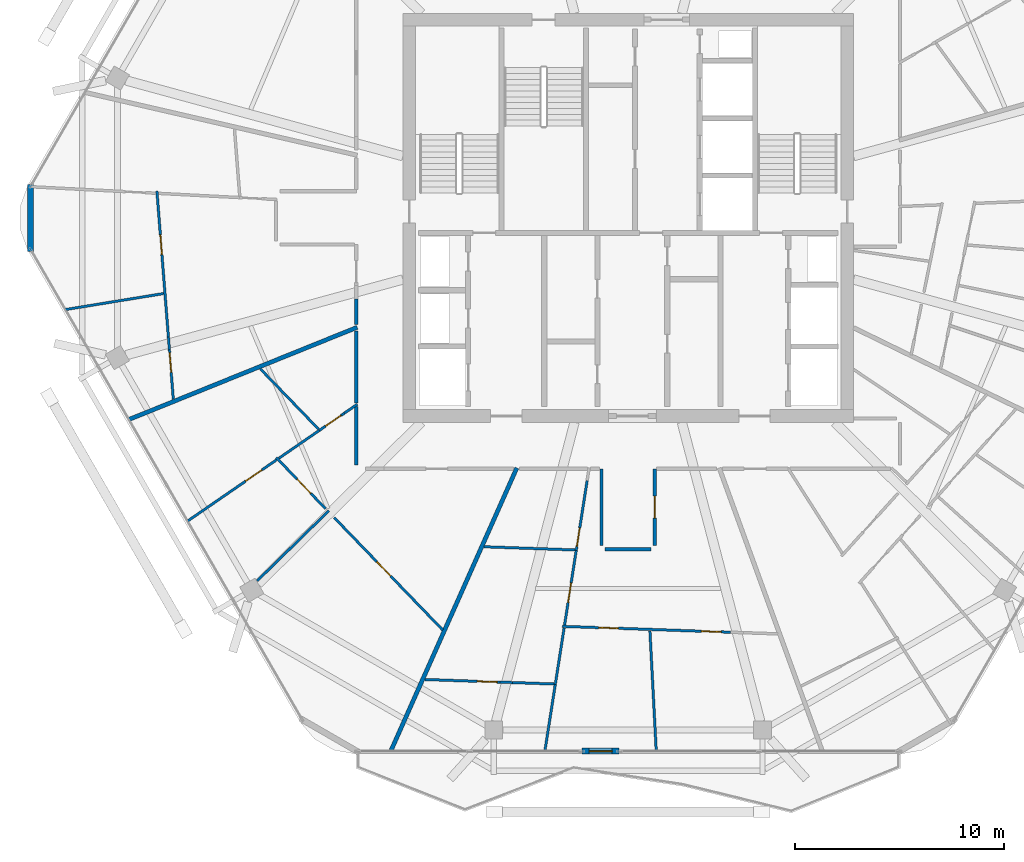
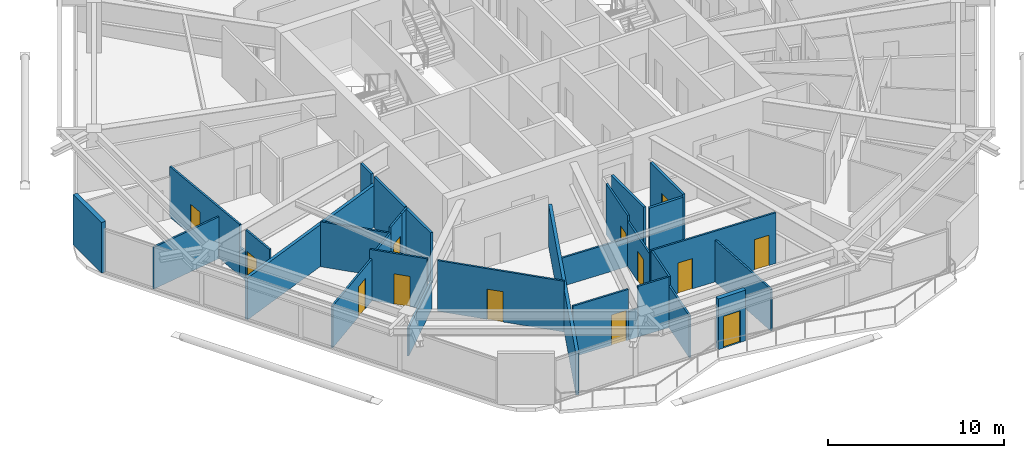
# One storey, part 19 of 26: 32 walls, 13 doors, 13 openings.
"""IFC4 building model written with IfcOpenShell, lengths in metres."""

from ifc_helpers import new_model, si_unit, direction, frame, frame_2d, origin, place, context, subcontext, project, spatial, rectangle, extrude, material, layer, layer_set, type_object, element, fill, save


model = new_model("IFC4")

# Units and contexts
model_context = context("Model", 3, precision=1e-05, world=origin(), true_north=direction((0.0, 1.0)))
body_context = subcontext(model_context, "Body", "Model", "MODEL_VIEW")
ifc_project = project(units=[si_unit("LENGTHUNIT", "METRE"), si_unit("AREAUNIT", "SQUARE_METRE"), si_unit("VOLUMEUNIT", "CUBIC_METRE"), si_unit("PLANEANGLEUNIT", "RADIAN"), si_unit("MASSUNIT", "GRAM", prefix="KILO")], contexts=[model_context])

# Site, building, storey
site_placement = place(None, origin())
site = spatial("IfcSite", under=ifc_project, at=site_placement, CompositionType="ELEMENT")
building_placement = place(site_placement, origin())
building = spatial("IfcBuilding", under=site, at=building_placement, Name="Zuhravey Tower", CompositionType="ELEMENT")
storey_placement = place(building_placement, frame((0.0, 0.0, 299.60009765625)))
storey = spatial("IfcBuildingStorey", under=building, at=storey_placement, Name="L76", CompositionType="ELEMENT", Elevation=299.60009765625)

# Wall, opening, door
ifc_material_1 = material(Name="Gypsum fire-rated stud partition")
ifc_layer_1 = layer(ifc_material_1, 0.159912109375)
ifc_layer_set_1 = layer_set([ifc_layer_1], Name="Gypsum fire-rated stud partition")
wall_type_1 = type_object("IfcWallType", Name="Corridor Fire Partition 160", PredefinedType="PARTITIONING", material=ifc_layer_set_1)
wall_1_placement = place(storey_placement, frame((37.280029296875, 16.300048828125, 0.0), z_axis=(0.0, 0.0, 1.0), x_axis=(0.0, 1.0, 0.0)))
wall_1 = element("IfcWall", 1, at=wall_1_placement, inside=storey, type_object=wall_type_1, Name="L76 IW16 Partition 032", PredefinedType="PARTITIONING", context=body_context, shape_type="SweptSolid", body=[
    extrude(rectangle(XDim=3.669921875, YDim=0.159912109375, at=frame_2d((1.8349609375, 0.0))), origin(), (0.0, 0.0, 1.0), 3.52001953125),
])
opening_1_placement = place(wall_1_placement, frame((1.31005859375, 0.0, 0.0)))
opening_1 = element("IfcOpeningElement", 2, at=opening_1_placement, cuts=wall_1, Name="Opening APD1", PredefinedType="OPENING", context=body_context, shape_type="SweptSolid", body=[
    extrude(rectangle(XDim=1.050048828125, YDim=2.14990234375, at=frame_2d((0.52490234375, 1.074951171875))), frame((0.0, 0.092041015625, 0.0), z_axis=(0.0, -1.0, 0.0), x_axis=(1.0, 0.0, 0.0)), (0.0, 0.0, 1.0), 0.183837890625),
])
ifc_material_2 = material(Name="Solid-core oak fire-rated leaf")
door_type_1 = type_object("IfcDoorType", Name="Apartment Entrance Fire Door 1050x2150", OperationType="NOTDEFINED", PredefinedType="DOOR", material=ifc_material_2)
door_1_placement = place(opening_1_placement, frame((1.050048828125, 0.0, 0.0), z_axis=(0.0, 0.0, 1.0), x_axis=(-1.0, 0.0, 0.0)))
door_1 = element("IfcDoor", 3, at=door_1_placement, inside=storey, type_object=door_type_1, Name="L76 Door 032.1", OperationType="SINGLE_SWING_RIGHT", OverallHeight=2.14990234375, OverallWidth=1.050048828125, PredefinedType="DOOR", context=body_context, shape_type="SweptSolid", body=[
    extrude(rectangle(XDim=1.050048828125, YDim=2.14990234375, at=frame_2d((0.52490234375, 1.074951171875))), frame((0.0, 0.02490234375, 0.0), z_axis=(0.0, -1.0, 0.0), x_axis=(1.0, 0.0, 0.0)), (0.0, 0.0, 1.0), 0.050048828125),
])
fill(opening_1, door_1)

# Walls
wall_2_placement = place(storey_placement, frame((22.969970703125, 28.112548828125, 0.0), z_axis=(0.0, 0.0, 1.0), x_axis=(0.0, -1.0, 0.0)))
element("IfcWall", 4, at=wall_2_placement, inside=storey, type_object=wall_type_1, Name="L76 IW16 Partition 126", PredefinedType="PARTITIONING", context=body_context, shape_type="SweptSolid", body=[
    extrude(rectangle(XDim=1.2236328125, YDim=0.159912109375, at=frame_2d((0.61181640625, 0.0))), origin(), (0.0, 0.0, 1.0), 3.52001953125),
])
wall_3_placement = place(storey_placement, frame((22.969970703125, 22.94873046875, 0.0), z_axis=(0.0, 0.0, 1.0), x_axis=(0.0, -1.0, 0.0)))
element("IfcWall", 5, at=wall_3_placement, inside=storey, type_object=wall_type_1, Name="L76 IW16 Partition 127", PredefinedType="PARTITIONING", context=body_context, shape_type="SweptSolid", body=[
    extrude(rectangle(XDim=2.798828125, YDim=0.159912109375, at=frame_2d((1.3994140625, 0.0))), origin(), (0.0, 0.0, 1.0), 3.52001953125),
])
wall_4_placement = place(storey_placement, frame((22.969970703125, 26.5810546875, 0.0), z_axis=(0.0, 0.0, 1.0), x_axis=(0.0, -1.0, 0.0)))
element("IfcWall", 6, at=wall_4_placement, inside=storey, type_object=wall_type_1, Name="L76 IW16 Partition 128", PredefinedType="PARTITIONING", context=body_context, shape_type="SweptSolid", body=[
    extrude(rectangle(XDim=3.467041015625, YDim=0.159912109375, at=frame_2d((1.7333984375, 0.0))), origin(), (0.0, 0.0, 1.0), 3.52001953125),
])
wall_5_placement = place(storey_placement, frame((34.719970703125, 19.969970703125, 0.0), z_axis=(0.0, 0.0, 1.0), x_axis=(0.0, -1.0, 0.0)))
element("IfcWall", 7, at=wall_5_placement, inside=storey, type_object=wall_type_1, Name="L76 IW16 Partition 129", PredefinedType="PARTITIONING", context=body_context, shape_type="SweptSolid", body=[
    extrude(rectangle(XDim=3.669921875, YDim=0.159912109375, at=frame_2d((1.8349609375, 0.0))), origin(), (0.0, 0.0, 1.0), 3.52001953125),
])
wall_6_placement = place(storey_placement, frame((34.89990234375, 16.1201171875, 0.0), z_axis=(0.0, 0.0, 1.0), x_axis=(1.0, 0.0, 0.0)))
element("IfcWall", 8, at=wall_6_placement, inside=storey, type_object=wall_type_1, Name="L76 IW16 Partition 131", PredefinedType="PARTITIONING", context=body_context, shape_type="SweptSolid", body=[
    extrude(rectangle(XDim=2.2001953125, YDim=0.159912109375, at=frame_2d((1.10009765625, 0.0))), origin(), (0.0, 0.0, 1.0), 3.52001953125),
])

# Wall, opening, door
ifc_material_3 = material(Name="Precast concrete C40/50", Category="concrete")
ifc_layer_2 = layer(ifc_material_3, 0.280029296875)
ifc_layer_set_2 = layer_set([ifc_layer_2], Name="Precast concrete C40/50")
wall_type_2 = type_object("IfcWallType", Name="Crown Architectural Wall 280", PredefinedType="SOLIDWALL", material=ifc_layer_set_2)
wall_7_placement = place(storey_placement, frame((35.570556640625, 6.436279296875, 0.0), z_axis=(0.0, 0.0, 1.0), x_axis=(-1.0, 0.0, 0.0)))
wall_7 = element("IfcWall", 9, at=wall_7_placement, inside=storey, type_object=wall_type_2, Name="L76 Face 5 Facade Pier EW28-1", PredefinedType="SOLIDWALL", context=body_context, shape_type="SweptSolid", body=[
    extrude(rectangle(XDim=1.7900390625, YDim=0.280029296875, at=frame_2d((0.89501953125, 0.0))), origin(), (0.0, 0.0, 1.0), 3.52001953125),
])
opening_2_placement = place(wall_7_placement, frame((0.344970703125, 0.0, 0.0)))
opening_2 = element("IfcOpeningElement", 10, at=opening_2_placement, cuts=wall_7, Name="Opening BLD1", PredefinedType="OPENING", context=body_context, shape_type="SweptSolid", body=[
    extrude(rectangle(XDim=1.10009765625, YDim=2.199951171875, at=frame_2d((0.550048828125, 1.10009765625))), frame((0.0, 0.152099609375, 0.0), z_axis=(0.0, -1.0, 0.0), x_axis=(1.0, 0.0, 0.0)), (0.0, 0.0, 1.0), 0.303955078125),
])
ifc_material_4 = material(Name="Thermally broken aluminium and low-E glass", Category="aluminium")
door_type_2 = type_object("IfcDoorType", Name="Balcony & Sky-Tray Glazed Door 1100x2200", OperationType="NOTDEFINED", PredefinedType="DOOR", material=ifc_material_4)
door_2_placement = place(opening_2_placement, frame((1.10009765625, 0.0, 0.0), z_axis=(0.0, 0.0, 1.0), x_axis=(-1.0, 0.0, 0.0)))
door_2 = element("IfcDoor", 11, at=door_2_placement, inside=storey, type_object=door_type_2, Name="L76 Face 5 Wave Balcony Door", OperationType="SINGLE_SWING_LEFT", OverallHeight=2.199951171875, OverallWidth=1.10009765625, PredefinedType="DOOR", context=body_context, shape_type="SweptSolid", body=[
    extrude(rectangle(XDim=1.10009765625, YDim=2.199951171875, at=frame_2d((0.550048828125, 1.10009765625))), frame((0.0, 0.02490234375, 0.0), z_axis=(0.0, -1.0, 0.0), x_axis=(1.0, 0.0, 0.0)), (0.0, 0.0, 1.0), 0.050048828125),
])
fill(opening_2, door_2)

# Walls
wall_8_placement = place(storey_placement, frame((7.35498046875, 30.392578125, 0.0), z_axis=(0.0, 0.0, 1.0), x_axis=(0.0, 1.0, 0.0)))
element("IfcWall", 12, at=wall_8_placement, inside=storey, type_object=wall_type_2, Name="L76 Rounded Corner Closure Wall EW28-06", PredefinedType="SOLIDWALL", context=body_context, shape_type="SweptSolid", body=[
    extrude(rectangle(XDim=3.21484375, YDim=0.280029296875, at=frame_2d((1.607421875, 0.0))), origin(), (0.0, 0.0, 1.0), 3.52001953125),
])
ifc_material_5 = material(Name="Gypsum double-stud party assembly")
ifc_layer_3 = layer(ifc_material_5, 0.199951171875)
ifc_layer_set_3 = layer_set([ifc_layer_3], Name="Gypsum double-stud party assembly")
wall_type_3 = type_object("IfcWallType", Name="Inter-Tenancy Party Wall 200", PredefinedType="PARTITIONING", material=ifc_layer_set_3)
wall_9_placement = place(storey_placement, frame((23.010009765625, 26.751708984375, 0.0), z_axis=(0.0, 0.0, 1.0), x_axis=(-0.927183134291, -0.374608376155, 0.0)))
element("IfcWall", 13, at=wall_9_placement, inside=storey, type_object=wall_type_3, Name="L76 IW20 Partition 071", PredefinedType="PARTITIONING", context=body_context, shape_type="SweptSolid", body=[
    extrude(rectangle(XDim=11.8046875, YDim=0.199951171875, at=frame_2d((5.90234375, 0.0))), origin(), (0.0, 0.0, 1.0), 2.89990234375),
])
wall_10_placement = place(storey_placement, frame((30.66162109375, 20.010009765625, 0.0), z_axis=(0.0, 0.0, 1.0), x_axis=(-0.406725337387, -0.913550491176, 0.0)))
element("IfcWall", 14, at=wall_10_placement, inside=storey, type_object=wall_type_3, Name="L76 IW20 Partition 076", PredefinedType="PARTITIONING", context=body_context, shape_type="SweptSolid", body=[
    extrude(rectangle(XDim=14.858154296875, YDim=0.199951171875, at=frame_2d((7.42919921875, 0.0))), origin(), (0.0, 0.0, 1.0), 2.89990234375),
])

# Wall, opening, door
ifc_material_6 = material(Name="Gypsum metal-stud partition")
ifc_layer_4 = layer(ifc_material_6, 0.1201171875)
ifc_layer_set_4 = layer_set([ifc_layer_4], Name="Gypsum metal-stud partition")
wall_type_4 = type_object("IfcWallType", Name="Unit Internal Partition 120", PredefinedType="PARTITIONING", material=ifc_layer_set_4)
wall_11_placement = place(storey_placement, frame((19.12744140625, 20.5078125, 0.0), z_axis=(0.0, 0.0, 1.0), x_axis=(0.694693114262, -0.719306247016, 0.0)))
wall_11 = element("IfcWall", 15, at=wall_11_placement, inside=storey, type_object=wall_type_4, Name="L76 IW12 Partition 021", PredefinedType="PARTITIONING", context=body_context, shape_type="SweptSolid", body=[
    extrude(rectangle(XDim=3.40234375, YDim=0.1201171875, at=frame_2d((1.701171875, 0.0))), origin(), (0.0, 0.0, 1.0), 3.52001953125),
])
opening_3_placement = place(wall_11_placement, frame((1.4384765625, 0.0, 0.0)))
opening_3 = element("IfcOpeningElement", 16, at=opening_3_placement, cuts=wall_11, Name="Opening IND1", PredefinedType="OPENING", context=body_context, shape_type="SweptSolid", body=[
    extrude(rectangle(XDim=0.949951171875, YDim=2.10009765625, at=frame_2d((0.47509765625, 1.050048828125))), frame((0.0, 0.072021484375, 0.0), z_axis=(0.0, -1.0, 0.0), x_axis=(1.0, 0.0, 0.0)), (0.0, 0.0, 1.0), 0.14404296875),
])
ifc_material_7 = material(Name="Painted engineered timber leaf", Category="wood")
door_type_3 = type_object("IfcDoorType", Name="Internal Room & Bedroom Door 950x2100", OperationType="NOTDEFINED", PredefinedType="DOOR", material=ifc_material_7)
door_3_placement = place(opening_3_placement, frame((0.949951171875, 0.0, 0.0), z_axis=(0.0, 0.0, 1.0), x_axis=(-1.0, 0.0, 0.0)))
door_3 = element("IfcDoor", 17, at=door_3_placement, inside=storey, type_object=door_type_3, Name="Apartment L76-01 Family Study Door", OperationType="SINGLE_SWING_RIGHT", OverallHeight=2.10009765625, OverallWidth=0.949951171875, PredefinedType="DOOR", context=body_context, shape_type="SweptSolid", body=[
    extrude(rectangle(XDim=0.949951171875, YDim=2.10009765625, at=frame_2d((0.47509765625, 1.050048828125))), frame((0.0, 0.02490234375, 0.0), z_axis=(0.0, -1.0, 0.0), x_axis=(1.0, 0.0, 0.0)), (0.0, 0.0, 1.0), 0.050048828125),
])
fill(opening_3, door_3)

wall_12_placement = place(storey_placement, frame((21.903564453125, 17.63330078125, 0.0), z_axis=(0.0, 0.0, 1.0), x_axis=(0.694646278993, -0.719351476735, 0.0)))
wall_12 = element("IfcWall", 18, at=wall_12_placement, inside=storey, type_object=wall_type_4, Name="L76 IW12 Partition 022", PredefinedType="PARTITIONING", context=body_context, shape_type="SweptSolid", body=[
    extrude(rectangle(XDim=7.49072265625, YDim=0.1201171875, at=frame_2d((3.745361328125, 0.0))), origin(), (0.0, 0.0, 1.0), 3.52001953125),
])
opening_4_placement = place(wall_12_placement, frame((2.94580078125, 0.0, 0.0)))
opening_4 = element("IfcOpeningElement", 19, at=opening_4_placement, cuts=wall_12, Name="Opening IND1", PredefinedType="OPENING", context=body_context, shape_type="SweptSolid", body=[
    extrude(rectangle(XDim=0.949951171875, YDim=2.10009765625, at=frame_2d((0.47509765625, 1.050048828125))), frame((0.0, 0.072021484375, 0.0), z_axis=(0.0, -1.0, 0.0), x_axis=(1.0, 0.0, 0.0)), (0.0, 0.0, 1.0), 0.14404296875),
])
door_4_placement = place(opening_4_placement, frame((0.949951171875, 0.0, 0.0), z_axis=(0.0, 0.0, 1.0), x_axis=(-1.0, 0.0, 0.0)))
door_4 = element("IfcDoor", 20, at=door_4_placement, inside=storey, type_object=door_type_3, Name="Apartment L76-01 Dining Room Door", OperationType="SINGLE_SWING_LEFT", OverallHeight=2.10009765625, OverallWidth=0.949951171875, PredefinedType="DOOR", context=body_context, shape_type="SweptSolid", body=[
    extrude(rectangle(XDim=0.949951171875, YDim=2.10009765625, at=frame_2d((0.47509765625, 1.050048828125))), frame((0.0, 0.02490234375, 0.0), z_axis=(0.0, -1.0, 0.0), x_axis=(1.0, 0.0, 0.0)), (0.0, 0.0, 1.0), 0.050048828125),
])
fill(opening_4, door_4)

wall_13_placement = place(storey_placement, frame((22.39990234375, 22.638916015625, 0.0), z_axis=(0.0, 0.0, 1.0), x_axis=(-0.82372765271, -0.566985673683, 0.0)))
wall_13 = element("IfcWall", 21, at=wall_13_placement, inside=storey, type_object=wall_type_4, Name="L76 IW12 Partition 023", PredefinedType="PARTITIONING", context=body_context, shape_type="SweptSolid", body=[
    extrude(rectangle(XDim=1.473876953125, YDim=0.1201171875, at=frame_2d((0.73681640625, 0.0))), origin(), (0.0, 0.0, 1.0), 3.52001953125),
])
opening_5_placement = place(wall_13_placement, frame((0.199951171875, 0.0, 0.0)))
opening_5 = element("IfcOpeningElement", 22, at=opening_5_placement, cuts=wall_13, Name="Opening WCD1", PredefinedType="OPENING", context=body_context, shape_type="SweptSolid", body=[
    extrude(rectangle(XDim=0.89990234375, YDim=2.10009765625, at=frame_2d((0.449951171875, 1.050048828125))), frame((0.0, 0.072021484375, 0.0), z_axis=(0.0, -1.0, 0.0), x_axis=(1.0, 0.0, 0.0)), (0.0, 0.0, 1.0), 0.14404296875),
])
ifc_material_8 = material(Name="Moisture-resistant timber leaf", Category="wood")
door_type_4 = type_object("IfcDoorType", Name="Bathroom & WC Internal Door 900x2100", OperationType="NOTDEFINED", PredefinedType="DOOR", material=ifc_material_8)
door_5_placement = place(opening_5_placement, frame((0.89990234375, 0.0, 0.0), z_axis=(0.0, 0.0, 1.0), x_axis=(-1.0, 0.0, 0.0)))
door_5 = element("IfcDoor", 23, at=door_5_placement, inside=storey, type_object=door_type_4, Name="Apartment L76-01 Bathroom Door", OperationType="SINGLE_SWING_RIGHT", OverallHeight=2.10009765625, OverallWidth=0.89990234375, PredefinedType="DOOR", context=body_context, shape_type="SweptSolid", body=[
    extrude(rectangle(XDim=0.89990234375, YDim=2.10009765625, at=frame_2d((0.449951171875, 1.050048828125))), frame((0.0, 0.02490234375, 0.0), z_axis=(0.0, -1.0, 0.0), x_axis=(1.0, 0.0, 0.0)), (0.0, 0.0, 1.0), 0.050048828125),
])
fill(opening_5, door_5)

# Wall
wall_14_placement = place(storey_placement, frame((21.185791015625, 21.80322265625, 0.0), z_axis=(0.0, 0.0, 1.0), x_axis=(-0.823756191061, -0.566944210384, 0.0)))
element("IfcWall", 24, at=wall_14_placement, inside=storey, type_object=wall_type_4, Name="L76 IW12 Partition 024", PredefinedType="PARTITIONING", context=body_context, shape_type="SweptSolid", body=[
    extrude(rectangle(XDim=2.34423828125, YDim=0.1201171875, at=frame_2d((1.172119140625, 0.0))), origin(), (0.0, 0.0, 1.0), 3.119873046875),
])

# Wall, opening, door
wall_15_placement = place(storey_placement, frame((19.14111328125, 20.39599609375, 0.0), z_axis=(0.0, 0.0, 1.0), x_axis=(-0.823725661839, -0.566988566047, 0.0)))
wall_15 = element("IfcWall", 25, at=wall_15_placement, inside=storey, type_object=wall_type_4, Name="L76 IW12 Partition 025", PredefinedType="PARTITIONING", context=body_context, shape_type="SweptSolid", body=[
    extrude(rectangle(XDim=5.1826171875, YDim=0.1201171875, at=frame_2d((2.59130859375, 0.0))), origin(), (0.0, 0.0, 1.0), 2.89990234375),
])
opening_6_placement = place(wall_15_placement, frame((0.85009765625, 0.0, 0.0)))
opening_6 = element("IfcOpeningElement", 26, at=opening_6_placement, cuts=wall_15, Name="Opening IND1", PredefinedType="OPENING", context=body_context, shape_type="SweptSolid", body=[
    extrude(rectangle(XDim=0.949951171875, YDim=2.10009765625, at=frame_2d((0.47509765625, 1.050048828125))), frame((0.0, 0.072021484375, 0.0), z_axis=(0.0, -1.0, 0.0), x_axis=(1.0, 0.0, 0.0)), (0.0, 0.0, 1.0), 0.14404296875),
])
door_6_placement = place(opening_6_placement, frame((0.949951171875, 0.0, 0.0), z_axis=(0.0, 0.0, 1.0), x_axis=(-1.0, 0.0, 0.0)))
door_6 = element("IfcDoor", 27, at=door_6_placement, inside=storey, type_object=door_type_3, Name="Apartment L76-01 Bedroom 1 Door", OperationType="SINGLE_SWING_LEFT", OverallHeight=2.10009765625, OverallWidth=0.949951171875, PredefinedType="DOOR", context=body_context, shape_type="SweptSolid", body=[
    extrude(rectangle(XDim=0.949951171875, YDim=2.10009765625, at=frame_2d((0.47509765625, 1.050048828125))), frame((0.0, 0.02490234375, 0.0), z_axis=(0.0, -1.0, 0.0), x_axis=(1.0, 0.0, 0.0)), (0.0, 0.0, 1.0), 0.050048828125),
])
fill(opening_6, door_6)

# Wall, openings, doors
wall_16_placement = place(storey_placement, frame((32.839111328125, 12.416748046875, 0.0), z_axis=(0.0, 0.0, 1.0), x_axis=(0.999390339178, -0.034913463852, 0.0)))
wall_16 = element("IfcWall", 28, at=wall_16_placement, inside=storey, type_object=wall_type_4, Name="L76 IW12 Partition 027", PredefinedType="PARTITIONING", context=body_context, shape_type="SweptSolid", body=[
    extrude(rectangle(XDim=8.069580078125, YDim=0.1201171875, at=frame_2d((4.03466796875, 0.0))), origin(), (0.0, 0.0, 1.0), 3.52001953125),
])
opening_7_placement = place(wall_16_placement, frame((1.745849609375, 0.0, 0.0)))
opening_7 = element("IfcOpeningElement", 29, at=opening_7_placement, cuts=wall_16, Name="Opening IND1", PredefinedType="OPENING", context=body_context, shape_type="SweptSolid", body=[
    extrude(rectangle(XDim=0.949951171875, YDim=2.10009765625, at=frame_2d((0.47509765625, 1.050048828125))), frame((0.0, 0.072021484375, 0.0), z_axis=(0.0, -1.0, 0.0), x_axis=(1.0, 0.0, 0.0)), (0.0, 0.0, 1.0), 0.14404296875),
])
opening_8_placement = place(wall_16_placement, frame((6.67333984375, 0.0, 0.0)))
opening_8 = element("IfcOpeningElement", 30, at=opening_8_placement, cuts=wall_16, Name="Opening IND1", PredefinedType="OPENING", context=body_context, shape_type="SweptSolid", body=[
    extrude(rectangle(XDim=0.949951171875, YDim=2.10009765625, at=frame_2d((0.47509765625, 1.050048828125))), frame((0.0, 0.072021484375, 0.0), z_axis=(0.0, -1.0, 0.0), x_axis=(1.0, 0.0, 0.0)), (0.0, 0.0, 1.0), 0.14404296875),
])
door_7_placement = place(opening_7_placement, frame((0.949951171875, 0.0, 0.0), z_axis=(0.0, 0.0, 1.0), x_axis=(-1.0, 0.0, 0.0)))
door_7 = element("IfcDoor", 31, at=door_7_placement, inside=storey, type_object=door_type_3, Name="Apartment L76-02 Family Study Door", OperationType="SINGLE_SWING_LEFT", OverallHeight=2.10009765625, OverallWidth=0.949951171875, PredefinedType="DOOR", context=body_context, shape_type="SweptSolid", body=[
    extrude(rectangle(XDim=0.949951171875, YDim=2.10009765625, at=frame_2d((0.47509765625, 1.050048828125))), frame((0.0, 0.02490234375, 0.0), z_axis=(0.0, -1.0, 0.0), x_axis=(1.0, 0.0, 0.0)), (0.0, 0.0, 1.0), 0.050048828125),
])
fill(opening_7, door_7)
door_8_placement = place(opening_8_placement, frame((0.949951171875, 0.0, 0.0), z_axis=(0.0, 0.0, 1.0), x_axis=(-1.0, 0.0, 0.0)))
door_8 = element("IfcDoor", 32, at=door_8_placement, inside=storey, type_object=door_type_3, Name="Apartment L76-02 Dining Room Door", OperationType="SINGLE_SWING_RIGHT", OverallHeight=2.10009765625, OverallWidth=0.949951171875, PredefinedType="DOOR", context=body_context, shape_type="SweptSolid", body=[
    extrude(rectangle(XDim=0.949951171875, YDim=2.10009765625, at=frame_2d((0.47509765625, 1.050048828125))), frame((0.0, 0.02490234375, 0.0), z_axis=(0.0, -1.0, 0.0), x_axis=(1.0, 0.0, 0.0)), (0.0, 0.0, 1.0), 0.050048828125),
])
fill(opening_8, door_8)

# Wall, opening, door
wall_17_placement = place(storey_placement, frame((34.031494140625, 19.39990234375, 0.0), z_axis=(0.0, 0.0, 1.0), x_axis=(-0.154412048647, -0.988006538052, 0.0)))
wall_17 = element("IfcWall", 33, at=wall_17_placement, inside=storey, type_object=wall_type_4, Name="L76 IW12 Partition 028", PredefinedType="PARTITIONING", context=body_context, shape_type="SweptSolid", body=[
    extrude(rectangle(XDim=3.38818359375, YDim=0.1201171875, at=frame_2d((1.694091796875, 0.0))), origin(), (0.0, 0.0, 1.0), 3.52001953125),
])
opening_9_placement = place(wall_17_placement, frame((2.293212890625, 0.0, 0.0)))
opening_9 = element("IfcOpeningElement", 34, at=opening_9_placement, cuts=wall_17, Name="Opening WCD1", PredefinedType="OPENING", context=body_context, shape_type="SweptSolid", body=[
    extrude(rectangle(XDim=0.89990234375, YDim=2.10009765625, at=frame_2d((0.449951171875, 1.050048828125))), frame((0.0, 0.072021484375, 0.0), z_axis=(0.0, -1.0, 0.0), x_axis=(1.0, 0.0, 0.0)), (0.0, 0.0, 1.0), 0.14404296875),
])
door_9_placement = place(opening_9_placement, frame((0.89990234375, 0.0, 0.0), z_axis=(0.0, 0.0, 1.0), x_axis=(-1.0, 0.0, 0.0)))
door_9 = element("IfcDoor", 35, at=door_9_placement, inside=storey, type_object=door_type_4, Name="Apartment L76-02 Bathroom Door", OperationType="SINGLE_SWING_LEFT", OverallHeight=2.10009765625, OverallWidth=0.89990234375, PredefinedType="DOOR", context=body_context, shape_type="SweptSolid", body=[
    extrude(rectangle(XDim=0.89990234375, YDim=2.10009765625, at=frame_2d((0.449951171875, 1.050048828125))), frame((0.0, 0.02490234375, 0.0), z_axis=(0.0, -1.0, 0.0), x_axis=(1.0, 0.0, 0.0)), (0.0, 0.0, 1.0), 0.050048828125),
])
fill(opening_9, door_9)

wall_18_placement = place(storey_placement, frame((33.50830078125, 16.05224609375, 0.0), z_axis=(0.0, 0.0, 1.0), x_axis=(-0.154335671849, -0.988018471687, 0.0)))
wall_18 = element("IfcWall", 36, at=wall_18_placement, inside=storey, type_object=wall_type_4, Name="L76 IW12 Partition 029", PredefinedType="PARTITIONING", context=body_context, shape_type="SweptSolid", body=[
    extrude(rectangle(XDim=3.614501953125, YDim=0.1201171875, at=frame_2d((1.80712890625, 0.0))), origin(), (0.0, 0.0, 1.0), 3.119873046875),
])
opening_10_placement = place(wall_18_placement, frame((1.572265625, 0.0, 0.0)))
opening_10 = element("IfcOpeningElement", 37, at=opening_10_placement, cuts=wall_18, Name="Opening IND1", PredefinedType="OPENING", context=body_context, shape_type="SweptSolid", body=[
    extrude(rectangle(XDim=0.949951171875, YDim=2.10009765625, at=frame_2d((0.47509765625, 1.050048828125))), frame((0.0, 0.072021484375, 0.0), z_axis=(0.0, -1.0, 0.0), x_axis=(1.0, 0.0, 0.0)), (0.0, 0.0, 1.0), 0.14404296875),
])
door_10_placement = place(opening_10_placement, frame((0.949951171875, 0.0, 0.0), z_axis=(0.0, 0.0, 1.0), x_axis=(-1.0, 0.0, 0.0)))
door_10 = element("IfcDoor", 38, at=door_10_placement, inside=storey, type_object=door_type_3, Name="Apartment L76-02 Home Office Door", OperationType="SINGLE_SWING_RIGHT", OverallHeight=2.10009765625, OverallWidth=0.949951171875, PredefinedType="DOOR", context=body_context, shape_type="SweptSolid", body=[
    extrude(rectangle(XDim=0.949951171875, YDim=2.10009765625, at=frame_2d((0.47509765625, 1.050048828125))), frame((0.0, 0.02490234375, 0.0), z_axis=(0.0, -1.0, 0.0), x_axis=(1.0, 0.0, 0.0)), (0.0, 0.0, 1.0), 0.050048828125),
])
fill(opening_10, door_10)

# Wall
wall_19_placement = place(storey_placement, frame((32.92919921875, 12.345458984375, 0.0), z_axis=(0.0, 0.0, 1.0), x_axis=(-0.154349819993, -0.98801626154, 0.0)))
element("IfcWall", 39, at=wall_19_placement, inside=storey, type_object=wall_type_4, Name="L76 IW12 Partition 030", PredefinedType="PARTITIONING", context=body_context, shape_type="SweptSolid", body=[
    extrude(rectangle(XDim=2.752197265625, YDim=0.1201171875, at=frame_2d((1.3759765625, 0.0))), origin(), (0.0, 0.0, 1.0), 3.52001953125),
])

# Wall, opening, door
wall_20_placement = place(storey_placement, frame((26.268310546875, 9.869140625, 0.0), z_axis=(0.0, 0.0, 1.0), x_axis=(0.999390794045, -0.034900440936, 0.0)))
wall_20 = element("IfcWall", 40, at=wall_20_placement, inside=storey, type_object=wall_type_4, Name="L76 IW12 Partition 031", PredefinedType="PARTITIONING", context=body_context, shape_type="SweptSolid", body=[
    extrude(rectangle(XDim=3.588623046875, YDim=0.1201171875, at=frame_2d((1.79443359375, 0.0))), origin(), (0.0, 0.0, 1.0), 3.52001953125),
])
opening_11_placement = place(wall_20_placement, frame((2.498779296875, 0.0, 0.0)))
opening_11 = element("IfcOpeningElement", 41, at=opening_11_placement, cuts=wall_20, Name="Opening IND1", PredefinedType="OPENING", context=body_context, shape_type="SweptSolid", body=[
    extrude(rectangle(XDim=0.949951171875, YDim=2.10009765625, at=frame_2d((0.47509765625, 1.050048828125))), frame((0.0, 0.072021484375, 0.0), z_axis=(0.0, -1.0, 0.0), x_axis=(1.0, 0.0, 0.0)), (0.0, 0.0, 1.0), 0.14404296875),
])
door_11_placement = place(opening_11_placement, frame((0.949951171875, 0.0, 0.0), z_axis=(0.0, 0.0, 1.0), x_axis=(-1.0, 0.0, 0.0)))
door_11 = element("IfcDoor", 42, at=door_11_placement, inside=storey, type_object=door_type_3, Name="Apartment L76-02 Bedroom 1 Door", OperationType="SINGLE_SWING_LEFT", OverallHeight=2.10009765625, OverallWidth=0.949951171875, PredefinedType="DOOR", context=body_context, shape_type="SweptSolid", body=[
    extrude(rectangle(XDim=0.949951171875, YDim=2.10009765625, at=frame_2d((0.47509765625, 1.050048828125))), frame((0.0, 0.02490234375, 0.0), z_axis=(0.0, -1.0, 0.0), x_axis=(1.0, 0.0, 0.0)), (0.0, 0.0, 1.0), 0.050048828125),
])
fill(opening_11, door_11)

wall_21_placement = place(storey_placement, frame((13.409912109375, 33.276123046875, 0.0), z_axis=(0.0, 0.0, 1.0), x_axis=(0.078462354393, -0.996917077265, 0.0)))
wall_21 = element("IfcWall", 43, at=wall_21_placement, inside=storey, type_object=wall_type_4, Name="L76 IW12 Partition 061", PredefinedType="PARTITIONING", context=body_context, shape_type="SweptSolid", body=[
    extrude(rectangle(XDim=7.019775390625, YDim=0.1201171875, at=frame_2d((3.509765625, 0.0))), origin(), (0.0, 0.0, 1.0), 3.52001953125),
])
opening_12_placement = place(wall_21_placement, frame((2.101318359375, 0.0, 0.0)))
opening_12 = element("IfcOpeningElement", 44, at=opening_12_placement, cuts=wall_21, Name="Opening IND1", PredefinedType="OPENING", context=body_context, shape_type="SweptSolid", body=[
    extrude(rectangle(XDim=0.949951171875, YDim=2.10009765625, at=frame_2d((0.47509765625, 1.050048828125))), frame((0.0, 0.072021484375, 0.0), z_axis=(0.0, -1.0, 0.0), x_axis=(1.0, 0.0, 0.0)), (0.0, 0.0, 1.0), 0.14404296875),
])
door_12_placement = place(opening_12_placement, frame((0.949951171875, 0.0, 0.0), z_axis=(0.0, 0.0, 1.0), x_axis=(-1.0, 0.0, 0.0)))
door_12 = element("IfcDoor", 45, at=door_12_placement, inside=storey, type_object=door_type_3, Name="Apartment L76-09 Family Study Door", OperationType="SINGLE_SWING_RIGHT", OverallHeight=2.10009765625, OverallWidth=0.949951171875, PredefinedType="DOOR", context=body_context, shape_type="SweptSolid", body=[
    extrude(rectangle(XDim=0.949951171875, YDim=2.10009765625, at=frame_2d((0.47509765625, 1.050048828125))), frame((0.0, 0.02490234375, 0.0), z_axis=(0.0, -1.0, 0.0), x_axis=(1.0, 0.0, 0.0)), (0.0, 0.0, 1.0), 0.050048828125),
])
fill(opening_12, door_12)

wall_22_placement = place(storey_placement, frame((14.008056640625, 25.67529296875, 0.0), z_axis=(0.0, 0.0, 1.0), x_axis=(0.078493177021, -0.996914650891, 0.0)))
wall_22 = element("IfcWall", 46, at=wall_22_placement, inside=storey, type_object=wall_type_4, Name="L76 IW12 Partition 062", PredefinedType="PARTITIONING", context=body_context, shape_type="SweptSolid", body=[
    extrude(rectangle(XDim=2.37939453125, YDim=0.1201171875, at=frame_2d((1.189697265625, 0.0))), origin(), (0.0, 0.0, 1.0), 3.52001953125),
])
opening_13_placement = place(wall_22_placement, frame((0.139892578125, 0.0, 0.0)))
opening_13 = element("IfcOpeningElement", 47, at=opening_13_placement, cuts=wall_22, Name="Opening IND1", PredefinedType="OPENING", context=body_context, shape_type="SweptSolid", body=[
    extrude(rectangle(XDim=0.949951171875, YDim=2.10009765625, at=frame_2d((0.47509765625, 1.050048828125))), frame((0.0, 0.072021484375, 0.0), z_axis=(0.0, -1.0, 0.0), x_axis=(1.0, 0.0, 0.0)), (0.0, 0.0, 1.0), 0.14404296875),
])
door_13_placement = place(opening_13_placement, frame((0.949951171875, 0.0, 0.0), z_axis=(0.0, 0.0, 1.0), x_axis=(-1.0, 0.0, 0.0)))
door_13 = element("IfcDoor", 48, at=door_13_placement, inside=storey, type_object=door_type_3, Name="Apartment L76-09 Dining Room Door", OperationType="SINGLE_SWING_LEFT", OverallHeight=2.10009765625, OverallWidth=0.949951171875, PredefinedType="DOOR", context=body_context, shape_type="SweptSolid", body=[
    extrude(rectangle(XDim=0.949951171875, YDim=2.10009765625, at=frame_2d((0.47509765625, 1.050048828125))), frame((0.0, 0.02490234375, 0.0), z_axis=(0.0, -1.0, 0.0), x_axis=(1.0, 0.0, 0.0)), (0.0, 0.0, 1.0), 0.050048828125),
])
fill(opening_13, door_13)

# Walls
wall_23_placement = place(storey_placement, frame((21.655029296875, 17.962646484375, 0.0), z_axis=(0.0, 0.0, 1.0), x_axis=(-0.714736078294, -0.699394265336, 0.0)))
element("IfcWall", 49, at=wall_23_placement, inside=storey, type_object=wall_type_4, Name="L76 IW12 Partition 072", PredefinedType="PARTITIONING", context=body_context, shape_type="SweptSolid", body=[
    extrude(rectangle(XDim=4.82177734375, YDim=0.1201171875, at=frame_2d((2.410888671875, 0.0))), origin(), (0.0, 0.0, 1.0), 1.969970703125),
])
wall_24_placement = place(storey_placement, frame((23.014892578125, 23.062255859375, 0.0), z_axis=(0.0, 0.0, 1.0), x_axis=(-0.823707844143, -0.567014450871, 0.0)))
element("IfcWall", 50, at=wall_24_placement, inside=storey, type_object=wall_type_4, Name="L76 IW12 Partition 073", PredefinedType="PARTITIONING", context=body_context, shape_type="SweptSolid", body=[
    extrude(rectangle(XDim=0.74658203125, YDim=0.1201171875, at=frame_2d((0.373291015625, 0.0))), origin(), (0.0, 0.0, 1.0), 3.52001953125),
])
wall_25_placement = place(storey_placement, frame((18.3662109375, 24.759033203125, 0.0), z_axis=(0.0, 0.0, 1.0), x_axis=(0.694640032454, -0.719357508692, 0.0)))
element("IfcWall", 51, at=wall_25_placement, inside=storey, type_object=wall_type_4, Name="L76 IW12 Partition 074", PredefinedType="PARTITIONING", context=body_context, shape_type="SweptSolid", body=[
    extrude(rectangle(XDim=4.02001953125, YDim=0.1201171875, at=frame_2d((2.010009765625, 0.0))), origin(), (0.0, 0.0, 1.0), 3.119873046875),
])
wall_26_placement = place(storey_placement, frame((37.041015625, 12.201904296875, 0.0), z_axis=(0.0, 0.0, 1.0), x_axis=(0.05250142471, -0.998620849173, 0.0)))
element("IfcWall", 52, at=wall_26_placement, inside=storey, type_object=wall_type_4, Name="L76 IW12 Partition 077", PredefinedType="PARTITIONING", context=body_context, shape_type="SweptSolid", body=[
    extrude(rectangle(XDim=5.803466796875, YDim=0.1201171875, at=frame_2d((2.90185546875, 0.0))), origin(), (0.0, 0.0, 1.0), 2.89990234375),
])
wall_27_placement = place(storey_placement, frame((32.50439453125, 9.626220703125, 0.0), z_axis=(0.0, 0.0, 1.0), x_axis=(-0.15439991205, -0.988008434761, 0.0)))
element("IfcWall", 53, at=wall_27_placement, inside=storey, type_object=wall_type_4, Name="L76 IW12 Partition 081", PredefinedType="PARTITIONING", context=body_context, shape_type="SweptSolid", body=[
    extrude(rectangle(XDim=3.233642578125, YDim=0.1201171875, at=frame_2d((1.61669921875, 0.0))), origin(), (0.0, 0.0, 1.0), 2.89990234375),
])
wall_28_placement = place(storey_placement, frame((29.09765625, 16.231201171875, 0.0), z_axis=(0.0, 0.0, 1.0), x_axis=(0.999392117738, -0.034862515735, 0.0)))
element("IfcWall", 54, at=wall_28_placement, inside=storey, type_object=wall_type_4, Name="L76 IW12 Partition 082", PredefinedType="PARTITIONING", context=body_context, shape_type="SweptSolid", body=[
    extrude(rectangle(XDim=4.348876953125, YDim=0.1201171875, at=frame_2d((2.17431640625, 0.0))), origin(), (0.0, 0.0, 1.0), 1.969970703125),
])
wall_29_placement = place(storey_placement, frame((29.854736328125, 9.743896484375, 0.0), z_axis=(0.0, 0.0, 1.0), x_axis=(0.999391142504, -0.034890461235, 0.0)))
element("IfcWall", 55, at=wall_29_placement, inside=storey, type_object=wall_type_4, Name="L76 IW12 Partition 083", PredefinedType="PARTITIONING", context=body_context, shape_type="SweptSolid", body=[
    extrude(rectangle(XDim=0.60888671875, YDim=0.1201171875, at=frame_2d((0.304443359375, 0.0))), origin(), (0.0, 0.0, 1.0), 1.969970703125),
])
wall_30_placement = place(storey_placement, frame((30.463134765625, 9.72265625, 0.0), z_axis=(0.0, 0.0, 1.0), x_axis=(0.999389614646, -0.034934197251, 0.0)))
element("IfcWall", 56, at=wall_30_placement, inside=storey, type_object=wall_type_4, Name="L76 IW12 Partition 084", PredefinedType="PARTITIONING", context=body_context, shape_type="SweptSolid", body=[
    extrude(rectangle(XDim=1.977783203125, YDim=0.1201171875, at=frame_2d((0.98876953125, 0.0))), origin(), (0.0, 0.0, 1.0), 3.52001953125),
])
wall_31_placement = place(storey_placement, frame((13.727783203125, 28.36865234375, 0.0), z_axis=(0.0, 0.0, 1.0), x_axis=(-0.986970483609, -0.160901412311, 0.0)))
element("IfcWall", 57, at=wall_31_placement, inside=storey, type_object=wall_type_4, Name="L76 IW12 Partition 121", PredefinedType="PARTITIONING", context=body_context, shape_type="SweptSolid", body=[
    extrude(rectangle(XDim=4.80078125, YDim=0.1201171875, at=frame_2d((2.400390625, 0.0))), origin(), (0.0, 0.0, 1.0), 2.89990234375),
])
wall_32_placement = place(storey_placement, frame((13.960693359375, 26.278076171875, 0.0), z_axis=(0.0, 0.0, 1.0), x_axis=(0.078332883036, -0.996927258849, 0.0)))
element("IfcWall", 58, at=wall_32_placement, inside=storey, type_object=wall_type_4, Name="L76 IW12 Partition 122", PredefinedType="PARTITIONING", context=body_context, shape_type="SweptSolid", body=[
    extrude(rectangle(XDim=0.604736328125, YDim=0.1201171875, at=frame_2d((0.30224609375, 0.0))), origin(), (0.0, 0.0, 1.0), 1.969970703125),
])

save(model, "model.ifc")
